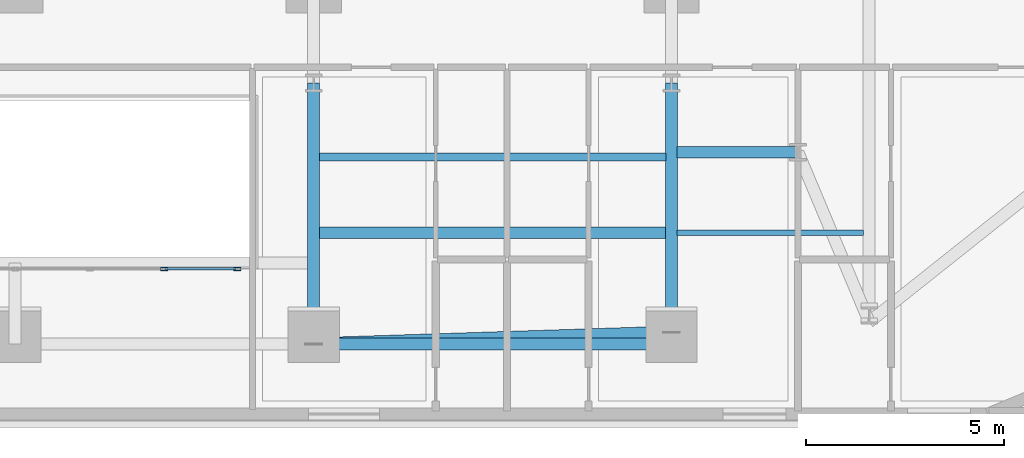
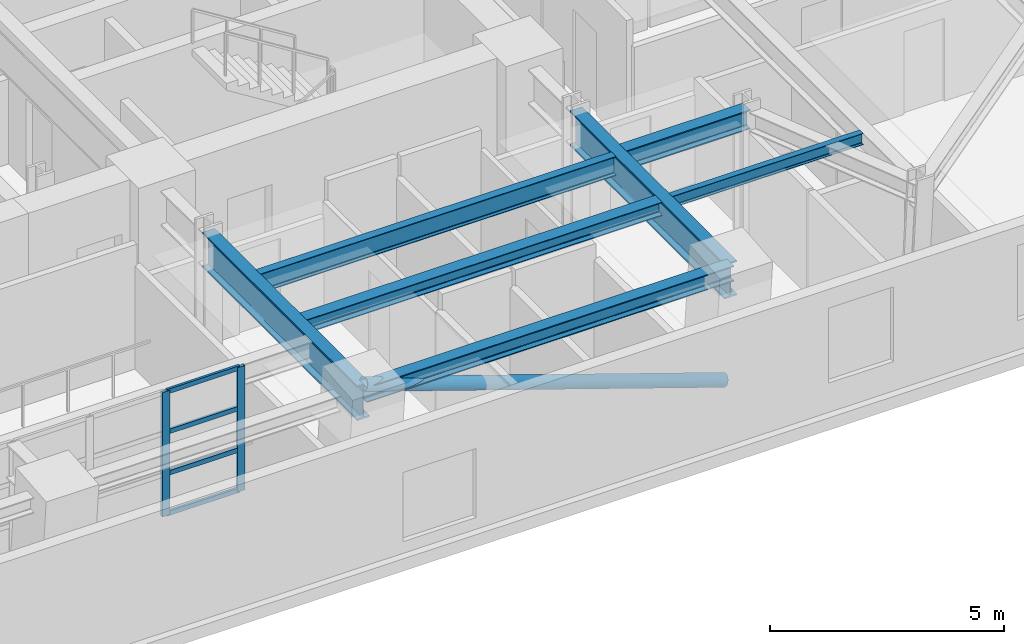
# One storey, part 5 of 16: 7 beams, 7 members, 1 element without a shape of its own.
"""IFC4 building model written with IfcOpenShell, lengths in metres."""

from ifc_helpers import new_model, si_unit, direction, frame, origin, origin_2d, place, context, subcontext, project, spatial, hollow_rectangle, hollow_circle, i_section, extrude, material, layer, layer_set, material_profile, profile_set, type_object, element, aggregate, save


model = new_model("IFC4")

# Units and contexts
model_context = context("Model", 3, precision=1e-05, world=origin(), true_north=direction((0.0, 1.0)))
body_context = subcontext(model_context, "Body", "Model", "MODEL_VIEW")
ifc_project = project(units=[si_unit("LENGTHUNIT", "METRE"), si_unit("AREAUNIT", "SQUARE_METRE"), si_unit("VOLUMEUNIT", "CUBIC_METRE"), si_unit("PLANEANGLEUNIT", "RADIAN"), si_unit("MASSUNIT", "GRAM", prefix="KILO")], contexts=[model_context])

# Site, building, storey
site_placement = place(None, origin())
site = spatial("IfcSite", under=ifc_project, at=site_placement, CompositionType="ELEMENT")
building_placement = place(site_placement, origin())
building = spatial("IfcBuilding", under=site, at=building_placement, Name="Zarnavel Station Tower", CompositionType="ELEMENT")
storey_placement = place(building_placement, frame((0.0, 0.0, 79.300048828125)))
storey = spatial("IfcBuildingStorey", under=building, at=storey_placement, Name="L21", CompositionType="ELEMENT", Elevation=79.300048828125)

# Curtain wall, members
ifc_material_1 = material(Name="Aluminium Dark Anodised and Solar-Control Glass", Category="aluminium")
ifc_layer = layer(ifc_material_1, 0.179931640625)
ifc_layer_set = layer_set([ifc_layer], Name="CWS3")
curtain_wall_type = type_object("IfcCurtainWallType", Name="CWS3", PredefinedType="NOTDEFINED", material=ifc_layer_set)
curtain_wall_placement = place(storey_placement, origin())
curtain_wall = element("IfcCurtainWall", 1, at=curtain_wall_placement, inside=storey, type_object=curtain_wall_type, Name="L21 Curtain Wall CWS3-L21-AS", PredefinedType="NOTDEFINED")
ifc_material_2 = material(Name="Steel S355J2 (Black Fluoropolymer Coated)", Category="steel")
ifc_material_profile_1 = material_profile(ifc_material_2, hollow_rectangle(XDim=0.080078125, YDim=0.179931640625, WallThickness=0.00634765625, at=origin_2d()), Name="RHS180x80x6.3")
ifc_profile_set_1 = profile_set([ifc_material_profile_1], Name="Steel S355J2 (Black Fluoropolymer Coated)")
member_type_1 = type_object("IfcMemberType", Name="CWS3_MUL", PredefinedType="MULLION", material=ifc_profile_set_1)
member_1_placement = place(storey_placement, frame((32.566650390625, 20.64990234375, 0.0), z_axis=(0.0, 0.0, 1.0), x_axis=(0.0, 1.0, 0.0)))
member_1 = element("IfcMember", 2, at=member_1_placement, type_object=member_type_1, Name="CW3 mullion 6", PredefinedType="MULLION", context=body_context, shape_type="SweptSolid", body=[
    extrude(hollow_rectangle(XDim=0.080078125, YDim=0.179931640625, WallThickness=0.00634765625, at=origin_2d()), origin(), (0.0, 0.0, 1.0), 3.239990234375),
])
member_2_placement = place(storey_placement, frame((34.419921875, 20.64990234375, 0.0), z_axis=(0.0, 0.0, 1.0), x_axis=(0.0, 1.0, 0.0)))
member_2 = element("IfcMember", 3, at=member_2_placement, type_object=member_type_1, Name="CW3 mullion 7", PredefinedType="MULLION", context=body_context, shape_type="SweptSolid", body=[
    extrude(hollow_rectangle(XDim=0.080078125, YDim=0.179931640625, WallThickness=0.00634765625, at=origin_2d()), origin(), (0.0, 0.0, 1.0), 3.239990234375),
])
ifc_material_3 = material(Name="Steel S355J2 (Black Fluoropolymer Coated)", Category="steel")
ifc_material_profile_2 = material_profile(ifc_material_3, hollow_rectangle(XDim=0.06005859375, YDim=0.1201171875, WallThickness=0.0048828125, at=origin_2d()), Name="RHS120x60x5")
ifc_profile_set_2 = profile_set([ifc_material_profile_2], Name="Steel S355J2 (Black Fluoropolymer Coated)")
member_type_2 = type_object("IfcMemberType", Name="CWS3_TRN", PredefinedType="USERDEFINED", material=ifc_profile_set_2)
member_3_placement = place(storey_placement, frame((32.5966796875, 20.64990234375, 0.030029296875), z_axis=(1.0, 0.0, 0.0), x_axis=(0.0, 1.0, 0.0)))
member_3 = element("IfcMember", 4, at=member_3_placement, type_object=member_type_2, Name="CW3 transom 6.1", ObjectType="TRANSOM", PredefinedType="USERDEFINED", context=body_context, shape_type="SweptSolid", body=[
    extrude(hollow_rectangle(XDim=0.06005859375, YDim=0.1201171875, WallThickness=0.0048828125, at=origin_2d()), origin(), (0.0, 0.0, 1.0), 1.793212890625),
])
member_4_placement = place(storey_placement, frame((32.5966796875, 20.64990234375, 1.079833984375), z_axis=(1.0, 0.0, 0.0), x_axis=(0.0, 1.0, 0.0)))
member_4 = element("IfcMember", 5, at=member_4_placement, type_object=member_type_2, Name="CW3 transom 6.2", ObjectType="TRANSOM", PredefinedType="USERDEFINED", context=body_context, shape_type="SweptSolid", body=[
    extrude(hollow_rectangle(XDim=0.06005859375, YDim=0.1201171875, WallThickness=0.0048828125, at=origin_2d()), origin(), (0.0, 0.0, 1.0), 1.793212890625),
])
member_5_placement = place(storey_placement, frame((32.5966796875, 20.64990234375, 2.159912109375), z_axis=(1.0, 0.0, 0.0), x_axis=(0.0, 1.0, 0.0)))
member_5 = element("IfcMember", 6, at=member_5_placement, type_object=member_type_2, Name="CW3 transom 6.3", ObjectType="TRANSOM", PredefinedType="USERDEFINED", context=body_context, shape_type="SweptSolid", body=[
    extrude(hollow_rectangle(XDim=0.06005859375, YDim=0.1201171875, WallThickness=0.0048828125, at=origin_2d()), origin(), (0.0, 0.0, 1.0), 1.793212890625),
])
member_6_placement = place(storey_placement, frame((32.5966796875, 20.64990234375, 3.2099609375), z_axis=(1.0, 0.0, 0.0), x_axis=(0.0, 1.0, 0.0)))
member_6 = element("IfcMember", 7, at=member_6_placement, type_object=member_type_2, Name="CW3 transom 6.4", ObjectType="TRANSOM", PredefinedType="USERDEFINED", context=body_context, shape_type="SweptSolid", body=[
    extrude(hollow_rectangle(XDim=0.06005859375, YDim=0.1201171875, WallThickness=0.0048828125, at=origin_2d()), origin(), (0.0, 0.0, 1.0), 1.793212890625),
])
aggregate(curtain_wall, [member_1, member_2, member_3, member_4, member_5, member_6])

# Member
ifc_material_4 = material(Name="Steel S355J2", Category="steel")
ifc_material_profile_3 = material_profile(ifc_material_4, hollow_circle(Radius=0.161865234375, WallThickness=0.012451171875, at=origin_2d()), Name="CHS323.9x12.5")
ifc_profile_set_3 = profile_set([ifc_material_profile_3], Name="Steel S355J2")
member_type_3 = type_object("IfcMemberType", Name="DB_EXT_CHS324", PredefinedType="BRACE", material=ifc_profile_set_3)
member_7_placement = place(storey_placement, frame((45.39990234375, 19.041748046875, 0.0), z_axis=(-0.941042303893, -0.030515076327, 0.336909798612), x_axis=(0.032409856061, -0.999474662625, 0.0)))
element("IfcMember", 8, at=member_7_placement, inside=storey, type_object=member_type_3, Name="L21 Persian Exterior Diagonal Frame Brace 2", PredefinedType="BRACE", context=body_context, shape_type="SweptSolid", body=[
    extrude(hollow_circle(Radius=0.161865234375, WallThickness=0.012451171875, at=origin_2d()), origin(), (0.0, 0.0, 1.0), 9.61669921875),
])

# Beams
ifc_material_5 = material(Name="Steel S355J2", Category="steel")
ifc_material_profile_4 = material_profile(ifc_material_5, i_section(OverallWidth=0.300048828125, OverallDepth=0.39990234375, WebThickness=0.013427734375, FlangeThickness=0.02392578125, FilletRadius=0.027099609375, at=origin_2d()), Name="HEB400")
ifc_profile_set_4 = profile_set([ifc_material_profile_4], Name="Steel S355J2")
beam_type_1 = type_object("IfcBeamType", Name="EB_HEB400", PredefinedType="SPANDREL", material=ifc_profile_set_4)
beam_1_placement = place(storey_placement, frame((36.35009765625, 18.748291015625, 3.0400390625), z_axis=(1.0, 0.0, 0.0), x_axis=(0.0, 1.0, 0.0)))
element("IfcBeam", 9, at=beam_1_placement, inside=storey, type_object=beam_type_1, Name="L21 South Raked Spandrel 4", PredefinedType="SPANDREL", context=body_context, shape_type="SweptSolid", body=[
    extrude(i_section(OverallWidth=0.300048828125, OverallDepth=0.39990234375, WebThickness=0.013427734375, FlangeThickness=0.02392578125, FilletRadius=0.027099609375, at=origin_2d()), origin(), (0.0, 0.0, 1.0), 9.0498046875),
])
ifc_material_6 = material(Name="Steel S355J2", Category="steel")
ifc_material_profile_5 = material_profile(ifc_material_6, i_section(OverallWidth=0.300048828125, OverallDepth=0.35009765625, WebThickness=0.010009765625, FlangeThickness=0.017578125, FilletRadius=0.027099609375, at=origin_2d()), Name="HEA360")
ifc_profile_set_5 = profile_set([ifc_material_profile_5], Name="Steel S355J2")
beam_type_2 = type_object("IfcBeamType", Name="FB_HEA360", PredefinedType="BEAM", material=ifc_profile_set_5)
beam_2_placement = place(storey_placement, frame((36.4951171875, 21.5654296875, 3.06494140625), z_axis=(1.0, 0.0, 0.0), x_axis=(0.0, 1.0, 0.0)))
element("IfcBeam", 10, at=beam_2_placement, inside=storey, type_object=beam_type_2, Name="L21 East Bay Beam 1", PredefinedType="BEAM", context=body_context, shape_type="SweptSolid", body=[
    extrude(i_section(OverallWidth=0.300048828125, OverallDepth=0.35009765625, WebThickness=0.010009765625, FlangeThickness=0.017578125, FilletRadius=0.027099609375, at=origin_2d()), origin(), (0.0, 0.0, 1.0), 8.759765625),
])
ifc_material_7 = material(Name="Steel S355J2", Category="steel")
ifc_material_profile_6 = material_profile(ifc_material_7, i_section(OverallWidth=0.199951171875, OverallDepth=0.5, WebThickness=0.01025390625, FlangeThickness=0.01611328125, FilletRadius=0.02099609375, at=origin_2d()), Name="IPE500")
ifc_profile_set_6 = profile_set([ifc_material_profile_6], Name="Steel S355J2")
beam_type_3 = type_object("IfcBeamType", Name="FB_IPE500", PredefinedType="BEAM", material=ifc_profile_set_6)
beam_3_placement = place(storey_placement, frame((36.4951171875, 23.482666015625, 2.989990234375), z_axis=(1.0, 0.0, 0.0), x_axis=(0.0, 1.0, 0.0)))
element("IfcBeam", 11, at=beam_3_placement, inside=storey, type_object=beam_type_3, Name="L21 East Bay Beam 2", PredefinedType="BEAM", context=body_context, shape_type="SweptSolid", body=[
    extrude(i_section(OverallWidth=0.199951171875, OverallDepth=0.5, WebThickness=0.01025390625, FlangeThickness=0.01611328125, FilletRadius=0.02099609375, at=origin_2d()), origin(), (0.0, 0.0, 1.0), 8.759765625),
])
ifc_material_8 = material(Name="Steel S355J2", Category="steel")
ifc_material_profile_7 = material_profile(ifc_material_8, i_section(OverallWidth=0.300048828125, OverallDepth=0.5, WebThickness=0.014404296875, FlangeThickness=0.028076171875, FilletRadius=0.027099609375, at=origin_2d()), Name="HEB500")
ifc_profile_set_7 = profile_set([ifc_material_profile_7], Name="Steel S355J2")
beam_type_4 = type_object("IfcBeamType", Name="FG_HEB500", PredefinedType="USERDEFINED", material=ifc_profile_set_7)
beam_4_placement = place(storey_placement, frame((45.544921875, 23.60009765625, 2.989990234375), z_axis=(1.0, 0.0, 0.0), x_axis=(0.0, 1.0, 0.0)))
element("IfcBeam", 12, at=beam_4_placement, inside=storey, type_object=beam_type_4, Name="L21 East Wing South Tie 1", ObjectType="GIRDER", PredefinedType="USERDEFINED", context=body_context, shape_type="SweptSolid", body=[
    extrude(i_section(OverallWidth=0.300048828125, OverallDepth=0.5, WebThickness=0.014404296875, FlangeThickness=0.028076171875, FilletRadius=0.027099609375, at=origin_2d()), origin(), (0.0, 0.0, 1.0), 3.05517578125),
])
ifc_material_9 = material(Name="Steel S355J2", Category="steel")
ifc_material_profile_8 = material_profile(ifc_material_9, i_section(OverallWidth=0.14990234375, OverallDepth=0.300048828125, WebThickness=0.007080078125, FlangeThickness=0.0107421875, FilletRadius=0.014892578125, at=origin_2d()), Name="IPE300")
ifc_profile_set_8 = profile_set([ifc_material_profile_8], Name="Steel S355J2")
beam_type_5 = type_object("IfcBeamType", Name="FJ_IPE300", PredefinedType="JOIST", material=ifc_profile_set_8)
beam_5_placement = place(storey_placement, frame((45.544921875, 21.5654296875, 3.08984375), z_axis=(1.0, 0.0, 0.0), x_axis=(0.0, 1.0, 0.0)))
element("IfcBeam", 13, at=beam_5_placement, inside=storey, type_object=beam_type_5, Name="L21 East Wing Joist 1", PredefinedType="JOIST", context=body_context, shape_type="SweptSolid", body=[
    extrude(i_section(OverallWidth=0.14990234375, OverallDepth=0.300048828125, WebThickness=0.007080078125, FlangeThickness=0.0107421875, FilletRadius=0.014892578125, at=origin_2d()), origin(), (0.0, 0.0, 1.0), 4.7099609375),
])
ifc_material_10 = material(Name="Steel S460M", Category="steel")
ifc_material_profile_9 = material_profile(ifc_material_10, i_section(OverallWidth=0.302001953125, OverallDepth=0.909912109375, WebThickness=0.02099609375, FlangeThickness=0.0400390625, FilletRadius=0.030029296875, at=origin_2d()), Name="HEM900")
ifc_profile_set_9 = profile_set([ifc_material_profile_9], Name="Steel S460M")
beam_type_6 = type_object("IfcBeamType", Name="TG_HEM900", PredefinedType="USERDEFINED", material=ifc_profile_set_9)
for number, where, z_axis, x_axis, name in (
    (14, (36.35009765625, 18.748291015625, 2.784912109375), (0.0, 1.0, 0.0), (-1.0, 0.0, 0.0), "L21 South-Zone NS Girder 4"),
    (15, (45.39990234375, 18.748291015625, 2.784912109375), (0.0, 1.0, 0.0), (-1.0, 0.0, 0.0), "L21 South-Zone NS Girder 5"),
):
    element("IfcBeam", number, at=place(storey_placement, frame(where, z_axis=z_axis, x_axis=x_axis)), inside=storey, type_object=beam_type_6, Name=name, ObjectType="GIRDER", PredefinedType="USERDEFINED", context=body_context, shape_type="SweptSolid", body=[
        extrude(i_section(OverallWidth=0.302001953125, OverallDepth=0.909912109375, WebThickness=0.02099609375, FlangeThickness=0.0400390625, FilletRadius=0.030029296875, at=origin_2d()), origin(), (0.0, 0.0, 1.0), 6.601806640625),
    ])

save(model, "model.ifc")
